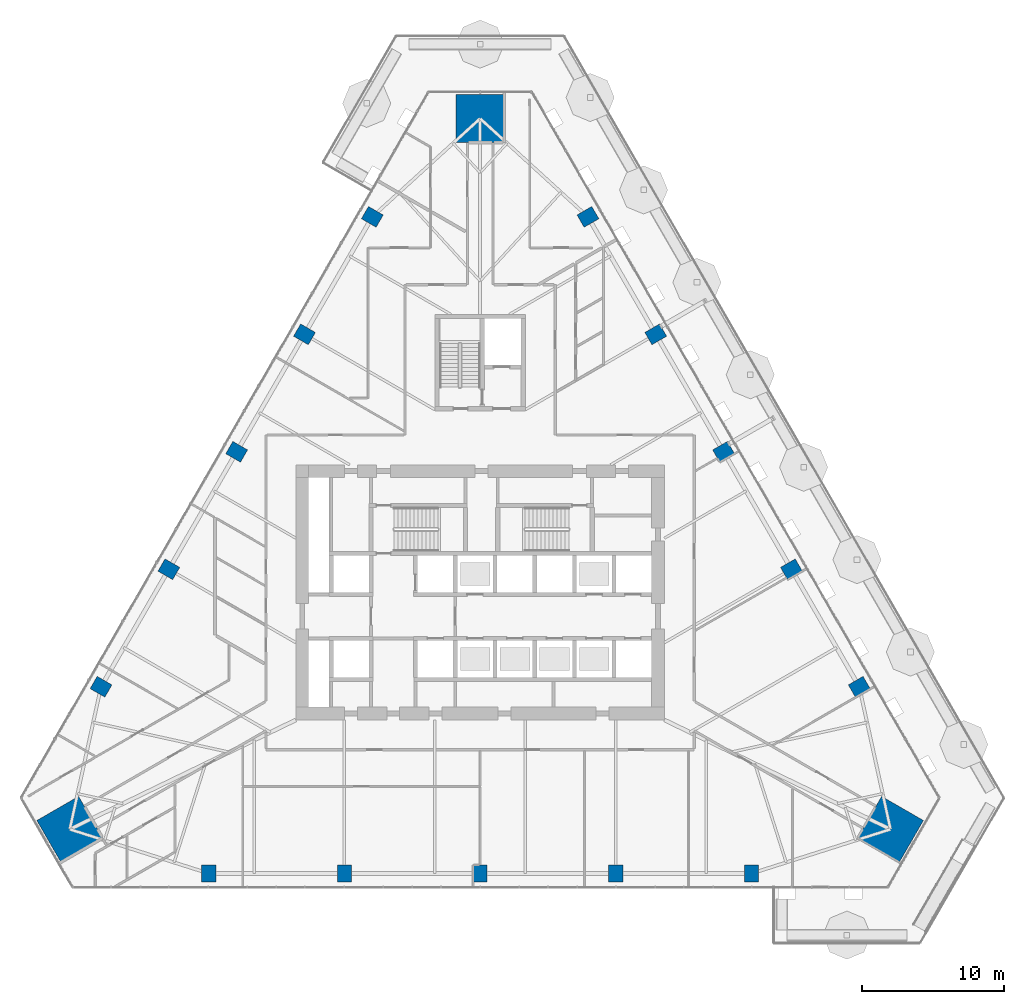
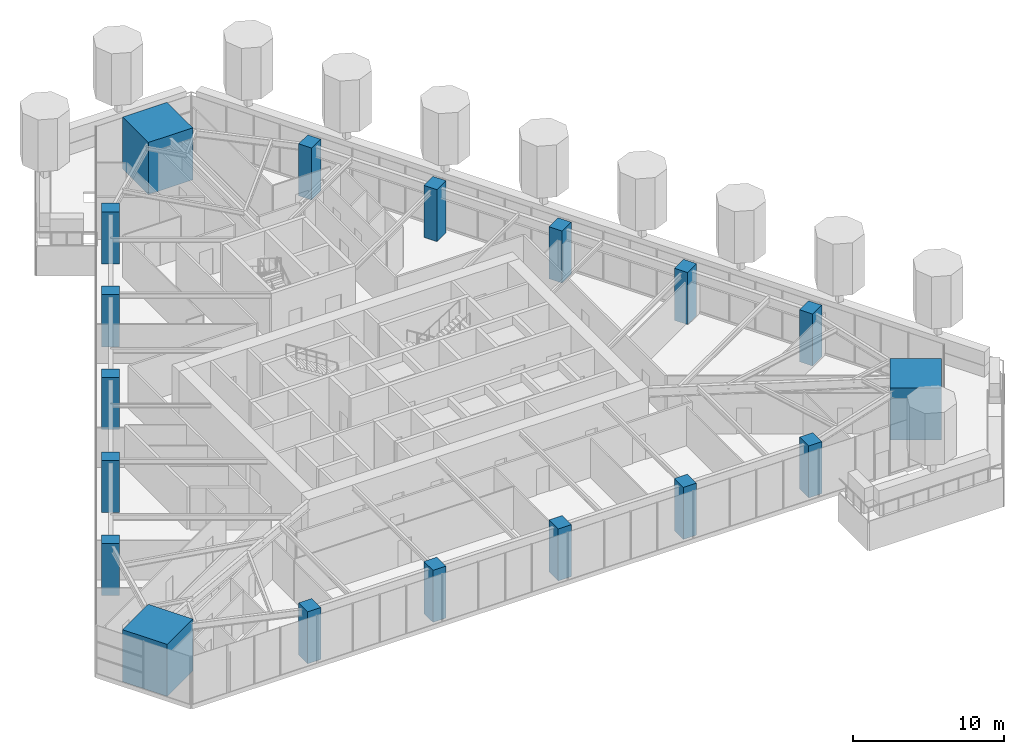
# One storey, part 1 of 26: 18 columns.
"""IFC4 building model written with IfcOpenShell, lengths in metres."""

from ifc_helpers import new_model, si_unit, direction, frame, origin, origin_2d, place, context, subcontext, project, spatial, rectangle, extrude, material, material_profile, profile_set, type_object, element, save


model = new_model("IFC4")

# Units and contexts
model_context = context("Model", 3, precision=1e-05, world=origin(), true_north=direction((0.0, 1.0)))
body_context = subcontext(model_context, "Body", "Model", "MODEL_VIEW")
ifc_project = project(units=[si_unit("LENGTHUNIT", "METRE"), si_unit("AREAUNIT", "SQUARE_METRE"), si_unit("VOLUMEUNIT", "CUBIC_METRE"), si_unit("PLANEANGLEUNIT", "RADIAN"), si_unit("MASSUNIT", "GRAM", prefix="KILO")], contexts=[model_context])

# Site, building, storey
site_placement = place(None, origin())
site = spatial("IfcSite", under=ifc_project, at=site_placement, CompositionType="ELEMENT")
building_placement = place(site_placement, origin())
building = spatial("IfcBuilding", under=site, at=building_placement, Name="Firuza Gate Tower and Library", CompositionType="ELEMENT")
storey_placement = place(building_placement, frame((0.0, 0.0, 52.60009765625)))
storey = spatial("IfcBuildingStorey", under=building, at=storey_placement, Name="L11", CompositionType="ELEMENT", Elevation=52.60009765625)

# Columns
ifc_material_1 = material(Name="Concrete C80/95", Category="concrete")
ifc_material_profile_1 = material_profile(ifc_material_1, rectangle(XDim=3.39990234375, YDim=3.39990234375, at=origin_2d()))
ifc_profile_set_1 = profile_set([ifc_material_profile_1], Name="Concrete C80/95")
column_type_1 = type_object("IfcColumnType", Name="Mega column 3400x3400 C80/95", PredefinedType="COLUMN", material=ifc_profile_set_1)
for number, where, z_axis, x_axis, name in (
    (1, (103.94287109375, 58.289794921875, 0.0), (0.0, 0.0, 1.0), (0.5, 0.866025403784, 0.0), "Mega column SE L11"),
    (2, (75.0, 108.42041015625, 0.0), (0.0, 0.0, 1.0), (-1.0, 0.0, 0.0), "Mega column N L11"),
    (3, (46.05712890625, 58.289794921875, 0.0), (0.0, 0.0, 1.0), (0.5, -0.866025403784, 0.0), "Mega column SW L11"),
):
    element("IfcColumn", number, at=place(storey_placement, frame(where, z_axis=z_axis, x_axis=x_axis)), inside=storey, type_object=column_type_1, Name=name, PredefinedType="COLUMN", context=body_context, shape_type="SweptSolid", body=[
        extrude(rectangle(XDim=3.39990234375, YDim=3.39990234375, at=origin_2d()), origin(), (0.0, 0.0, 1.0), 4.199951171875),
    ])
ifc_material_2 = material(Name="Concrete C60/75", Category="concrete")
ifc_material_profile_2 = material_profile(ifc_material_2, rectangle(XDim=1.0, YDim=1.199951171875, at=origin_2d()))
ifc_profile_set_2 = profile_set([ifc_material_profile_2], Name="Concrete C60/75")
column_type_2 = type_object("IfcColumnType", Name="Perimeter column 1000x1200 C60/75", PredefinedType="COLUMN", material=ifc_profile_set_2)
for number, where, z_axis, x_axis, name in (
    (4, (55.865478515625, 55.172119140625, -0.00048828125), (0.0, 0.0, 1.0), (1.0, 0.0, 0.0), "Column S1 L11"),
    (5, (65.432861328125, 55.172119140625, -0.00048828125), (0.0, 0.0, 1.0), (1.0, 0.0, 0.0), "Column S2 L11"),
    (6, (75.0, 55.172119140625, -0.00048828125), (0.0, 0.0, 1.0), (1.0, 0.0, 0.0), "Column S3 L11"),
    (7, (84.567138671875, 55.172119140625, -0.00048828125), (0.0, 0.0, 1.0), (1.0, 0.0, 0.0), "Column S4 L11"),
    (8, (94.134521484375, 55.172119140625, -0.00048828125), (0.0, 0.0, 1.0), (1.0, 0.0, 0.0), "Column S5 L11"),
    (9, (101.73876953125, 68.343017578125, -0.00048828125), (0.0, 0.0, 1.0), (-0.5, 0.866025403784, 0.0), "Column E1 L11"),
    (10, (96.955078125, 76.62841796875, -0.00048828125), (0.0, 0.0, 1.0), (-0.5, 0.866025403784, 0.0), "Column E2 L11"),
    (11, (92.17138671875, 84.913818359375, -0.00048828125), (0.0, 0.0, 1.0), (-0.5, 0.866025403784, 0.0), "Column E3 L11"),
    (12, (87.3876953125, 93.199462890625, -0.00048828125), (0.0, 0.0, 1.0), (-0.5, 0.866025403784, 0.0), "Column E4 L11"),
    (13, (82.604248046875, 101.48486328125, -0.00048828125), (0.0, 0.0, 1.0), (-0.5, 0.866025403784, 0.0), "Column E5 L11"),
    (14, (67.395751953125, 101.48486328125, -0.00048828125), (0.0, 0.0, 1.0), (-0.5, -0.866025403784, 0.0), "Column W1 L11"),
    (15, (62.6123046875, 93.199462890625, -0.00048828125), (0.0, 0.0, 1.0), (-0.5, -0.866025403784, 0.0), "Column W2 L11"),
    (16, (57.82861328125, 84.913818359375, -0.00048828125), (0.0, 0.0, 1.0), (-0.5, -0.866025403784, 0.0), "Column W3 L11"),
    (17, (53.044921875, 76.62841796875, -0.00048828125), (0.0, 0.0, 1.0), (-0.5, -0.866025403784, 0.0), "Column W4 L11"),
    (18, (48.26123046875, 68.343017578125, -0.00048828125), (0.0, 0.0, 1.0), (-0.5, -0.866025403784, 0.0), "Column W5 L11"),
):
    element("IfcColumn", number, at=place(storey_placement, frame(where, z_axis=z_axis, x_axis=x_axis)), inside=storey, type_object=column_type_2, Name=name, PredefinedType="COLUMN", context=body_context, shape_type="SweptSolid", body=[
        extrude(rectangle(XDim=1.0, YDim=1.199951171875, at=origin_2d()), origin(), (0.0, 0.0, 1.0), 4.200439453125),
    ])

save(model, "model.ifc")
